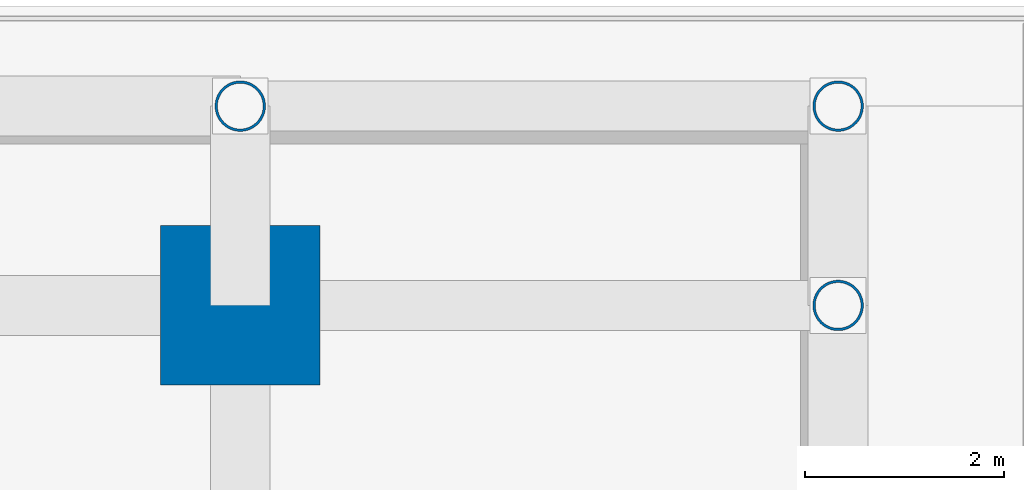
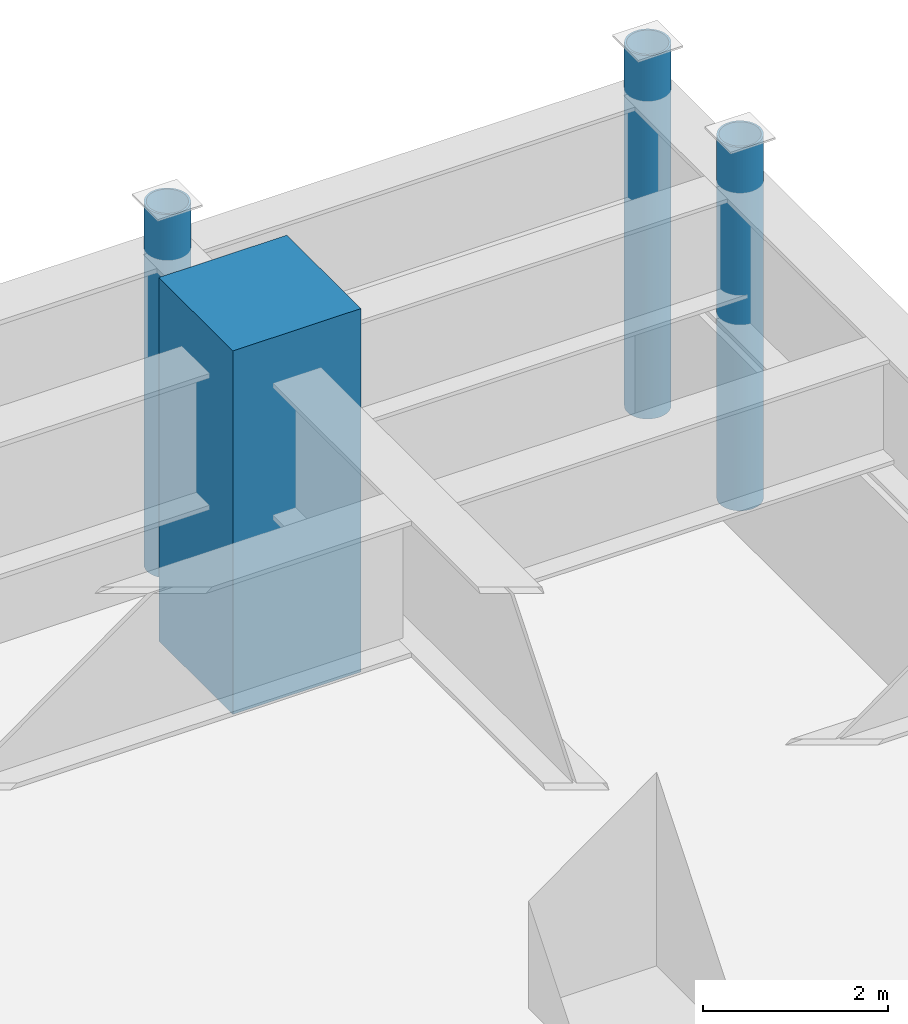
# One storey, part 5 of 35: 4 columns.
"""IFC4 building model written with IfcOpenShell, lengths in metres."""

from ifc_helpers import new_model, si_unit, direction, frame, origin, origin_2d, place, context, subcontext, project, spatial, rectangle, hollow_circle, extrude, source, transform, mapped, material, material_profile, profile_set, type_object, element, save


model = new_model("IFC4")

# Units and contexts
model_context = context("Model", 3, precision=1e-05, world=origin(), true_north=direction((0.0, 1.0)))
body_context = subcontext(model_context, "Body", "Model", "MODEL_VIEW")
ifc_project = project(units=[si_unit("LENGTHUNIT", "METRE"), si_unit("AREAUNIT", "SQUARE_METRE"), si_unit("VOLUMEUNIT", "CUBIC_METRE"), si_unit("PLANEANGLEUNIT", "RADIAN"), si_unit("MASSUNIT", "GRAM", prefix="KILO")], contexts=[model_context])

# Site, building, storey
site_placement = place(None, origin())
site = spatial("IfcSite", under=ifc_project, at=site_placement, CompositionType="ELEMENT")
building_placement = place(site_placement, origin())
building = spatial("IfcBuilding", under=site, at=building_placement, Name="Khorayat Bourse Tower", CompositionType="ELEMENT")
storey_placement = place(building_placement, frame((0.0, 0.0, 22.199951171875)))
storey = spatial("IfcBuildingStorey", under=building, at=storey_placement, Name="L04", CompositionType="ELEMENT", Elevation=22.199951171875)

# Columns
ifc_material_1 = material(Name="Concrete C72/90", Category="concrete")
ifc_material_profile_1 = material_profile(ifc_material_1, rectangle(XDim=1.60009765625, YDim=1.60009765625, at=origin_2d()), Name="RC 1600x1600")
ifc_profile_set_1 = profile_set([ifc_material_profile_1], Name="Concrete C72/90")
column_type_1 = type_object("IfcColumnType", Name="COL-MEGA-1600", PredefinedType="COLUMN", material=ifc_profile_set_1)
shared_shape_1 = source(origin(), body_context, "Body", "SweptSolid", [
    extrude(rectangle(XDim=1.60009765625, YDim=1.60009765625, at=origin_2d()), origin(), (0.0, 0.0, 1.0), 4.800048828125),
])
column_placement = place(storey_placement, frame((32.0, 32.0, 0.0), z_axis=(0.0, 0.0, 1.0), x_axis=(1.0, 0.0, 0.0)))
element("IfcColumn", 1, at=column_placement, inside=storey, type_object=column_type_1, Name="L04 Column 071", PredefinedType="COLUMN", context=body_context, shape_type="MappedRepresentation", body=[
    mapped(shared_shape_1, transform((0.0, 0.0, 0.0), scale=1.0)),
])
ifc_material_2 = material(Name="Steel EN 10025-2 S355J2", Category="steel")
ifc_material_profile_2 = material_profile(ifc_material_2, hollow_circle(Radius=0.25390625, WallThickness=0.02490234375, at=origin_2d()), Name="CHS 508x25")
ifc_profile_set_2 = profile_set([ifc_material_profile_2], Name="Steel EN 10025-2 S355J2")
column_type_2 = type_object("IfcColumnType", Name="COL-POD-CHS508", PredefinedType="COLUMN", material=ifc_profile_set_2)
shared_shape_2 = source(origin(), body_context, "Body", "SweptSolid", [
    extrude(hollow_circle(Radius=0.25390625, WallThickness=0.02490234375, at=origin_2d()), origin(), (0.0, 0.0, 1.0), 4.800048828125),
])
for number, where, z_axis, x_axis, name in (
    (2, (32.0, 34.0, 0.0), (0.0, 0.0, 1.0), (1.0, 0.0, 0.0), "L04 Column 072"),
    (3, (38.0, 34.0, 0.0), (0.0, 0.0, 1.0), (1.0, 0.0, 0.0), "L04 Column 078"),
    (4, (38.0, 32.0, 0.0), (0.0, 0.0, 1.0), (1.0, 0.0, 0.0), "L04 Perimeter Step Column 4"),
):
    element("IfcColumn", number, at=place(storey_placement, frame(where, z_axis=z_axis, x_axis=x_axis)), inside=storey, type_object=column_type_2, Name=name, PredefinedType="COLUMN", context=body_context, shape_type="MappedRepresentation", body=[
        mapped(shared_shape_2, transform((0.0, 0.0, 0.0), scale=1.0)),
    ])

save(model, "model.ifc")
